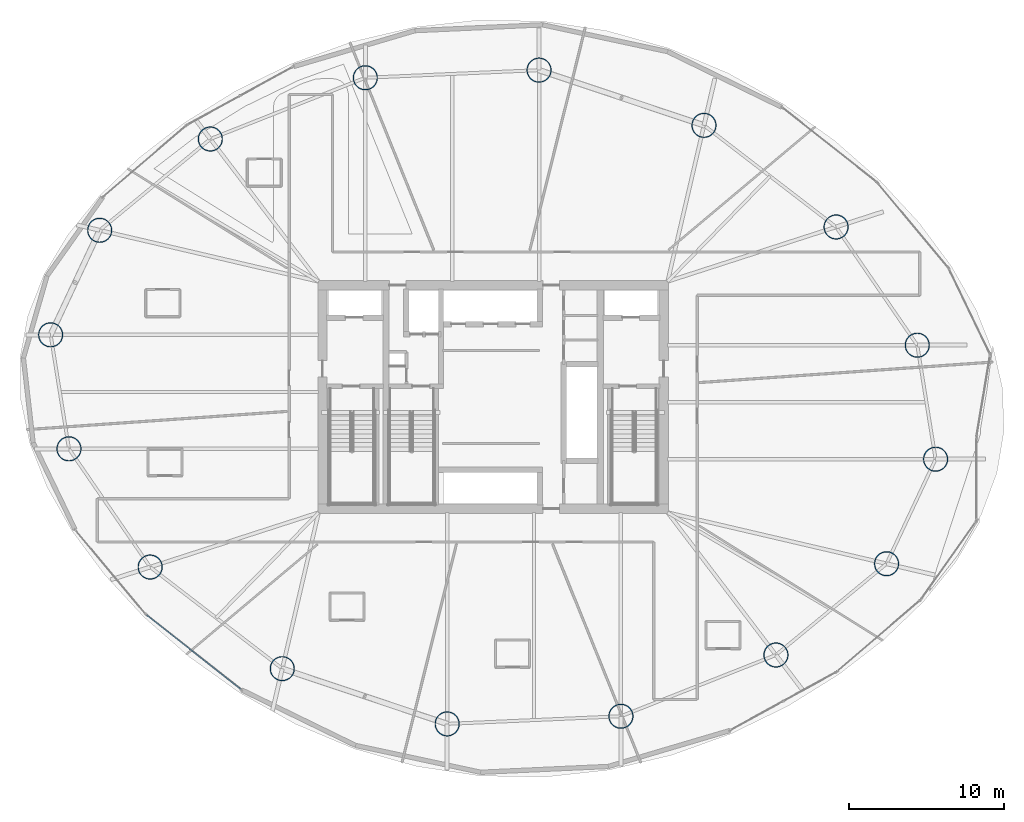
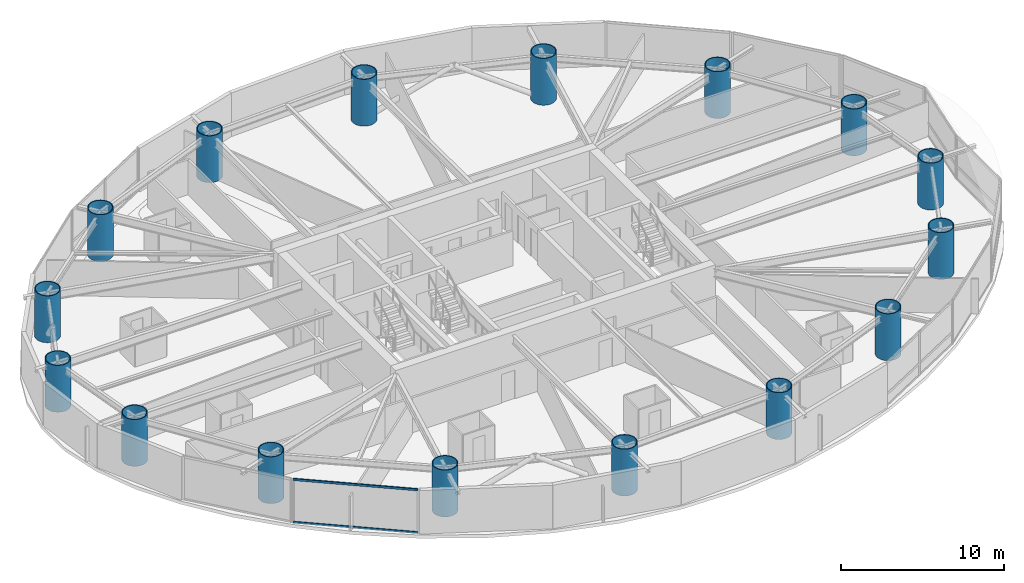
# One storey, part 1 of 25: 16 columns, 2 members, 1 element without a shape of its own.
"""IFC4 building model written with IfcOpenShell, lengths in metres."""

from ifc_helpers import new_model, si_unit, direction, frame, origin, origin_2d, place, context, subcontext, project, spatial, hollow_rectangle, hollow_circle, extrude, material, layer, layer_set, material_profile, profile_set, type_object, element, aggregate, save


model = new_model("IFC4")

# Units and contexts
model_context = context("Model", 3, precision=1e-05, world=origin(), true_north=direction((0.0, 1.0)))
body_context = subcontext(model_context, "Body", "Model", "MODEL_VIEW")
ifc_project = project(units=[si_unit("LENGTHUNIT", "METRE"), si_unit("AREAUNIT", "SQUARE_METRE"), si_unit("VOLUMEUNIT", "CUBIC_METRE"), si_unit("PLANEANGLEUNIT", "RADIAN"), si_unit("MASSUNIT", "GRAM", prefix="KILO")], contexts=[model_context])

# Site, building, storey
site_placement = place(None, origin())
site = spatial("IfcSite", under=ifc_project, at=site_placement, CompositionType="ELEMENT")
building_placement = place(site_placement, origin())
building = spatial("IfcBuilding", under=site, at=building_placement, Name="Bramvorn Convention Spire", CompositionType="ELEMENT")
storey_placement = place(building_placement, frame((0.0, 0.0, 55.39990234375)))
storey = spatial("IfcBuildingStorey", under=building, at=storey_placement, Name="L11", CompositionType="ELEMENT", Elevation=55.39990234375)

# Columns
ifc_material_1 = material(Name="Steel CSA G40.21 Grade 350 (350W)", Category="steel")
ifc_material_profile_1 = material_profile(ifc_material_1, hollow_circle(Radius=0.800048828125, WallThickness=0.06005859375, at=origin_2d()))
ifc_profile_set_1 = profile_set([ifc_material_profile_1], Name="Steel CSA G40.21 Grade 350 (350W) - CFT1600X60")
column_type = type_object("IfcColumnType", Name="COL-CFT1600X60", PredefinedType="COLUMN", material=ifc_profile_set_1)
for number, where, z_axis, x_axis, name in (
    (1, (66.519775390625, 21.99169921875, 0.0), (0.0, 0.0, 1.0), (1.0, 0.0, 0.0), "L11 composite CFT mega-column MC01"),
    (2, (65.338623046875, 29.340087890625, 0.0), (0.0, 0.0, 1.0), (1.0, 0.0, 0.0), "L11 composite CFT mega-column MC02"),
    (3, (60.105224609375, 36.960205078125, 0.0), (0.0, 0.0, 1.0), (1.0, 0.0, 0.0), "L11 composite CFT mega-column MC03"),
    (4, (51.59033203125, 43.509033203125, 0.0), (0.0, 0.0, 1.0), (1.0, 0.0, 0.0), "L11 composite CFT mega-column MC04"),
    (5, (40.9609375, 47.06884765625, 0.0), (0.0, 0.0, 1.0), (1.0, 0.0, 0.0), "L11 composite CFT mega-column MC05"),
    (6, (29.76220703125, 46.57666015625, 0.0), (0.0, 0.0, 1.0), (1.0, 0.0, 0.0), "L11 composite CFT mega-column MC06"),
    (7, (19.772216796875, 42.628662109375, 0.0), (0.0, 0.0, 1.0), (1.0, 0.0, 0.0), "L11 composite CFT mega-column MC07"),
    (8, (12.64111328125, 36.746337890625, 0.0), (0.0, 0.0, 1.0), (1.0, 0.0, 0.0), "L11 composite CFT mega-column MC08"),
    (9, (9.480224609375, 30.00830078125, 0.0), (0.0, 0.0, 1.0), (1.0, 0.0, 0.0), "L11 composite CFT mega-column MC09"),
    (10, (10.661376953125, 22.659912109375, 0.0), (0.0, 0.0, 1.0), (1.0, 0.0, 0.0), "L11 composite CFT mega-column MC10"),
    (11, (15.894775390625, 15.039794921875, 0.0), (0.0, 0.0, 1.0), (1.0, 0.0, 0.0), "L11 composite CFT mega-column MC11"),
    (12, (24.40966796875, 8.490966796875, 0.0), (0.0, 0.0, 1.0), (1.0, 0.0, 0.0), "L11 composite CFT mega-column MC12"),
    (13, (35.0390625, 4.93115234375, 0.0), (0.0, 0.0, 1.0), (1.0, 0.0, 0.0), "L11 composite CFT mega-column MC13"),
    (14, (46.23779296875, 5.42333984375, 0.0), (0.0, 0.0, 1.0), (1.0, 0.0, 0.0), "L11 composite CFT mega-column MC14"),
    (15, (56.227783203125, 9.371337890625, 0.0), (0.0, 0.0, 1.0), (1.0, 0.0, 0.0), "L11 composite CFT mega-column MC15"),
    (16, (63.35888671875, 15.253662109375, 0.0), (0.0, 0.0, 1.0), (1.0, 0.0, 0.0), "L11 composite CFT mega-column MC16"),
):
    element("IfcColumn", number, at=place(storey_placement, frame(where, z_axis=z_axis, x_axis=x_axis)), inside=storey, type_object=column_type, Name=name, PredefinedType="COLUMN", context=body_context, shape_type="SweptSolid", body=[
        extrude(hollow_circle(Radius=0.800048828125, WallThickness=0.06005859375, at=origin_2d()), origin(), (0.0, 0.0, 1.0), 3.5),
    ])

# Curtain wall, members
ifc_material_2 = material(Name="Anodised Bronze Unitised Curtain Wall", Category="aluminium")
ifc_layer = layer(ifc_material_2, 0.179931640625)
ifc_layer_set = layer_set([ifc_layer], Name="Anodised Bronze Unitised Curtain Wall - CW-HTL-FRIT")
curtain_wall_type = type_object("IfcCurtainWallType", Name="CW-HTL-FRIT", PredefinedType="USERDEFINED", material=ifc_layer_set)
curtain_wall_placement = place(storey_placement, origin())
curtain_wall = element("IfcCurtainWall", 17, at=curtain_wall_placement, inside=storey, type_object=curtain_wall_type, Name="L11 fritted glass curtain wall 16", ObjectType="UNITISED CURTAIN WALL", PredefinedType="USERDEFINED")
ifc_material_3 = material(Name="Anodised Bronze Aluminium 6063-T6", Category="aluminium")
ifc_material_profile_2 = material_profile(ifc_material_3, hollow_rectangle(XDim=0.080078125, YDim=0.159912109375, WallThickness=0.00390625, InnerFilletRadius=0.0009765625, OuterFilletRadius=0.00390625, at=origin_2d()))
ifc_profile_set_2 = profile_set([ifc_material_profile_2], Name="Anodised Bronze Aluminium 6063-T6 - CWT80X160")
member_type = type_object("IfcMemberType", Name="CW-TRN-150", PredefinedType="USERDEFINED", material=ifc_profile_set_2)
member_1_placement = place(storey_placement, frame((21.743896484375, 7.15771484375, 0.030029296875), z_axis=(-0.785142379331, 0.619315302716, 0.0), x_axis=(-0.619315302716, -0.785142379331, 0.0)))
member_1 = element("IfcMember", 18, at=member_1_placement, type_object=member_type, Name="CW2 transom 1.1", ObjectType="TRANSOM", PredefinedType="USERDEFINED", context=body_context, shape_type="SweptSolid", body=[
    extrude(hollow_rectangle(XDim=0.080078125, YDim=0.159912109375, WallThickness=0.00390625, InnerFilletRadius=0.0009765625, OuterFilletRadius=0.00390625, at=origin_2d()), origin(), (0.0, 0.0, 1.0), 7.724853515625),
])
member_2_placement = place(storey_placement, frame((21.743896484375, 7.15771484375, 3.22021484375), z_axis=(-0.785142379331, 0.619315302716, 0.0), x_axis=(-0.619315302716, -0.785142379331, 0.0)))
member_2 = element("IfcMember", 19, at=member_2_placement, type_object=member_type, Name="CW2 transom 1.2", ObjectType="TRANSOM", PredefinedType="USERDEFINED", context=body_context, shape_type="SweptSolid", body=[
    extrude(hollow_rectangle(XDim=0.080078125, YDim=0.159912109375, WallThickness=0.00390625, InnerFilletRadius=0.0009765625, OuterFilletRadius=0.00390625, at=origin_2d()), origin(), (0.0, 0.0, 1.0), 7.724853515625),
])
aggregate(curtain_wall, [member_1, member_2])

save(model, "model.ifc")
